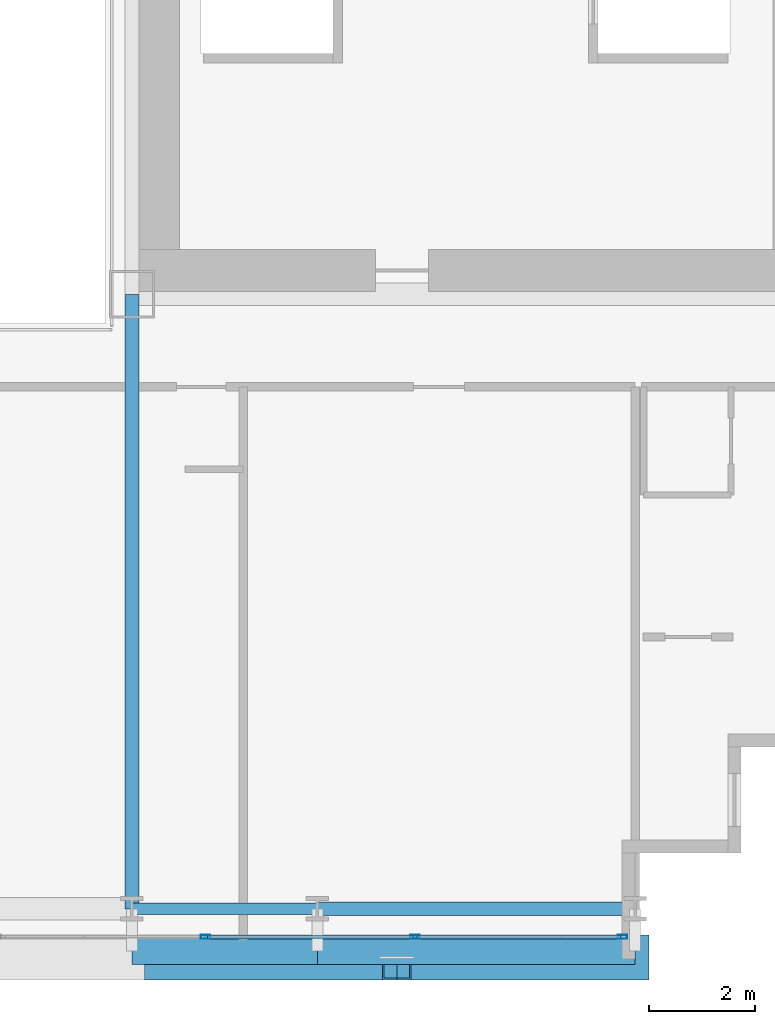
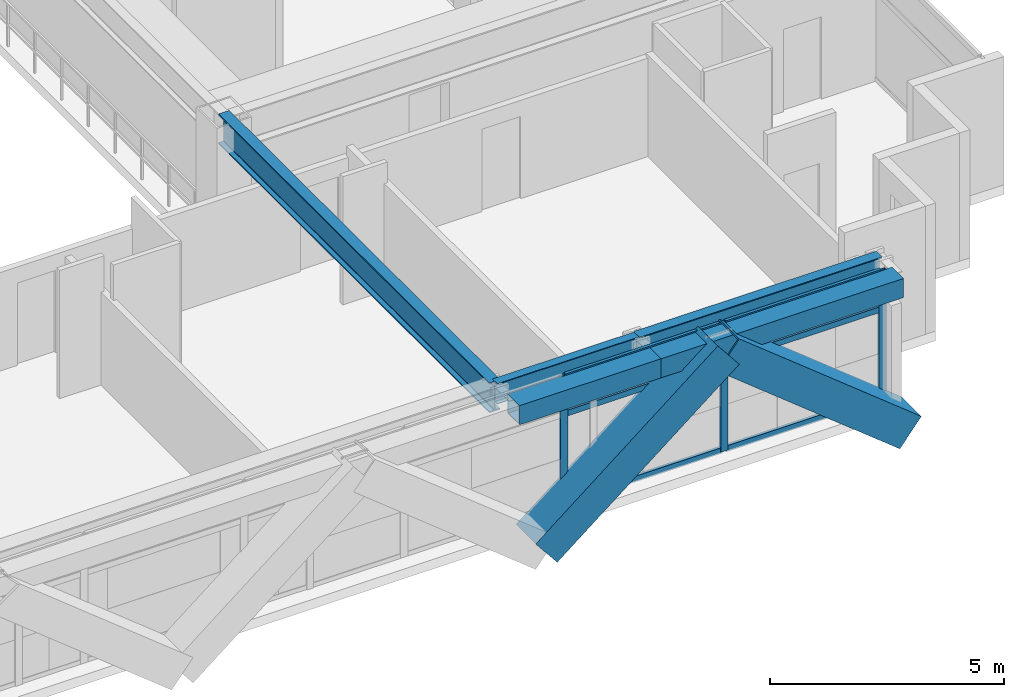
# One storey, part 10 of 35: 11 members, 5 beams, 1 element without a shape of its own.
"""IFC4 building model written with IfcOpenShell, lengths in metres."""

from ifc_helpers import new_model, si_unit, direction, frame, origin, origin_2d, place, context, subcontext, project, spatial, hollow_rectangle, i_section, extrude, source, transform, mapped, material, layer, layer_set, material_profile, profile_set, type_object, element, aggregate, save


model = new_model("IFC4")

# Units and contexts
model_context = context("Model", 3, precision=1e-05, world=origin(), true_north=direction((0.0, 1.0)))
body_context = subcontext(model_context, "Body", "Model", "MODEL_VIEW")
ifc_project = project(units=[si_unit("LENGTHUNIT", "METRE"), si_unit("AREAUNIT", "SQUARE_METRE"), si_unit("VOLUMEUNIT", "CUBIC_METRE"), si_unit("PLANEANGLEUNIT", "RADIAN"), si_unit("MASSUNIT", "GRAM", prefix="KILO")], contexts=[model_context])

# Site, building, storey
site_placement = place(None, origin())
site = spatial("IfcSite", under=ifc_project, at=site_placement, CompositionType="ELEMENT")
building_placement = place(site_placement, origin())
building = spatial("IfcBuilding", under=site, at=building_placement, Name="Ocotamira Hotel", CompositionType="ELEMENT")
storey_placement = place(building_placement, frame((0.0, 0.0, 78.0)))
storey = spatial("IfcBuildingStorey", under=building, at=storey_placement, Name="L19", CompositionType="ELEMENT", Elevation=78.0)

# Beams
ifc_material_1 = material(Name="Steel ASTM A992 Grade 50", Category="steel")
ifc_material_profile_1 = material_profile(ifc_material_1, i_section(OverallWidth=0.256103515625, OverallDepth=0.693115234375, WebThickness=0.014404296875, FlangeThickness=0.023681640625, FilletRadius=0.01611328125, at=origin_2d()), Name="W27X114")
ifc_profile_set_1 = profile_set([ifc_material_profile_1], Name="Steel ASTM A992 Grade 50")
beam_type_1 = type_object("IfcBeamType", Name="BM-PRIM-W27X114", PredefinedType="BEAM", material=ifc_profile_set_1)
shared_shape_1 = source(origin(), body_context, "Body", "SweptSolid", [
    extrude(i_section(OverallWidth=0.256103515625, OverallDepth=0.693115234375, WebThickness=0.014404296875, FlangeThickness=0.023681640625, FilletRadius=0.01611328125, at=origin_2d()), origin(), (0.0, 0.0, 1.0), 6.0),
])
beam_1_placement = place(storey_placement, frame((44.0, 2.949951171875, 3.00341796875), z_axis=(1.0, 0.0, 0.0), x_axis=(0.0, 1.0, 0.0)))
element("IfcBeam", 1, at=beam_1_placement, inside=storey, type_object=beam_type_1, Name="L19 Girder Y2.95 X44-50", PredefinedType="BEAM", context=body_context, shape_type="MappedRepresentation", body=[
    mapped(shared_shape_1, transform((0.0, 0.0, 0.0), scale=1.0)),
])
ifc_material_profile_2 = material_profile(ifc_material_1, i_section(OverallWidth=0.2099609375, OverallDepth=0.537109375, WebThickness=0.010986328125, FlangeThickness=0.017333984375, FilletRadius=0.012939453125, at=origin_2d()), Name="W21X68")
ifc_profile_set_2 = profile_set([ifc_material_profile_2], Name="Steel ASTM A992 Grade 50")
beam_type_2 = type_object("IfcBeamType", Name="BM-SEC-W21X68", PredefinedType="JOIST", material=ifc_profile_set_2)
shared_shape_2 = source(origin(), body_context, "Body", "SweptSolid", [
    extrude(i_section(OverallWidth=0.2099609375, OverallDepth=0.537109375, WebThickness=0.010986328125, FlangeThickness=0.017333984375, FilletRadius=0.012939453125, at=origin_2d()), origin(), (0.0, 0.0, 1.0), 3.5),
])
beam_2_placement = place(storey_placement, frame((40.5, 2.949951171875, 3.08154296875), z_axis=(1.0, 0.0, 0.0), x_axis=(0.0, 1.0, 0.0)))
element("IfcBeam", 2, at=beam_2_placement, inside=storey, type_object=beam_type_2, Name="L19 Girder Y2.95 X40.5-44", PredefinedType="JOIST", context=body_context, shape_type="MappedRepresentation", body=[
    mapped(shared_shape_2, transform((0.0, 0.0, 0.0), scale=1.0)),
])
ifc_material_profile_3 = material_profile(ifc_material_1, i_section(OverallWidth=0.26611328125, OverallDepth=0.779052734375, WebThickness=0.0166015625, FlangeThickness=0.030029296875, FilletRadius=0.01806640625, at=origin_2d()), Name="W30X148")
ifc_profile_set_3 = profile_set([ifc_material_profile_3], Name="Steel ASTM A992 Grade 50")
beam_type_3 = type_object("IfcBeamType", Name="BM-GIRD-W30X148", PredefinedType="BEAM", material=ifc_profile_set_3)
shared_shape_3 = source(origin(), body_context, "Body", "SweptSolid", [
    extrude(i_section(OverallWidth=0.26611328125, OverallDepth=0.779052734375, WebThickness=0.0166015625, FlangeThickness=0.030029296875, FilletRadius=0.01806640625, at=origin_2d()), origin(), (0.0, 0.0, 1.0), 11.60009765625),
])
beam_3_placement = place(storey_placement, frame((40.5, 2.949951171875, 2.96044921875), z_axis=(0.0, 1.0, 0.0), x_axis=(-1.0, 0.0, 0.0)))
element("IfcBeam", 3, at=beam_3_placement, inside=storey, type_object=beam_type_3, Name="L19 Beam X40.5 Y2.95-14.55", PredefinedType="BEAM", context=body_context, shape_type="MappedRepresentation", body=[
    mapped(shared_shape_3, transform((0.0, 0.0, 0.0), scale=1.0)),
])
ifc_material_2 = material(Name="Steel ASTM A500 Grade C", Category="steel")
ifc_material_profile_4 = material_profile(ifc_material_2, hollow_rectangle(XDim=0.5, YDim=0.5, WallThickness=0.02001953125, at=origin_2d()), Name="HSS500X500X20")
ifc_profile_set_4 = profile_set([ifc_material_profile_4], Name="Steel ASTM A500 Grade C")
beam_type_4 = type_object("IfcBeamType", Name="BM-SPAN-HSS500", PredefinedType="USERDEFINED", material=ifc_profile_set_4)
shared_shape_4 = source(origin(), body_context, "Body", "SweptSolid", [
    extrude(hollow_rectangle(XDim=0.5, YDim=0.5, WallThickness=0.02001953125, at=origin_2d()), origin(), (0.0, 0.0, 1.0), 6.0),
])
beam_4_placement = place(storey_placement, frame((44.0, 2.14990234375, 3.10009765625), z_axis=(1.0, 0.0, 0.0), x_axis=(0.0, 1.0, 0.0)))
element("IfcBeam", 4, at=beam_4_placement, inside=storey, type_object=beam_type_4, Name="L19 Edge Spandrel S X44-50", ObjectType="SPANDREL", PredefinedType="USERDEFINED", context=body_context, shape_type="MappedRepresentation", body=[
    mapped(shared_shape_4, transform((0.0, 0.0, 0.0), scale=1.0)),
])
shared_shape_5 = source(origin(), body_context, "Body", "SweptSolid", [
    extrude(hollow_rectangle(XDim=0.5, YDim=0.5, WallThickness=0.02001953125, at=origin_2d()), origin(), (0.0, 0.0, 1.0), 3.5),
])
beam_5_placement = place(storey_placement, frame((40.5, 2.14990234375, 3.10009765625), z_axis=(1.0, 0.0, 0.0), x_axis=(0.0, 1.0, 0.0)))
element("IfcBeam", 5, at=beam_5_placement, inside=storey, type_object=beam_type_4, Name="L19 Edge Spandrel S X40.5-44", ObjectType="SPANDREL", PredefinedType="USERDEFINED", context=body_context, shape_type="MappedRepresentation", body=[
    mapped(shared_shape_5, transform((0.0, 0.0, 0.0), scale=1.0)),
])

# Members
ifc_material_3 = material(Name="Pale-metal coated steel ASTM A913 Grade 65", Category="steel")
ifc_material_profile_5 = material_profile(ifc_material_3, hollow_rectangle(XDim=0.85009765625, YDim=0.85009765625, WallThickness=0.035888671875, at=origin_2d()), Name="BOX850X850X36")
ifc_profile_set_5 = profile_set([ifc_material_profile_5], Name="Pale-metal coated steel ASTM A913 Grade 65")
member_type_1 = type_object("IfcMemberType", Name="MEM-EXO-BOX850", PredefinedType="BRACE", material=ifc_profile_set_5)
shared_shape_6 = source(origin(), body_context, "Body", "SweptSolid", [
    extrude(hollow_rectangle(XDim=0.85009765625, YDim=0.85009765625, WallThickness=0.035888671875, at=origin_2d()), origin(), (0.0, 0.0, 1.0), 5.762939453125),
])
for number, where, z_axis, x_axis, name in (
    (6, (41.0, 2.030029296875, -0.5), (0.780860543151, 0.0, 0.624705380279), (0.0, 1.0, 0.0), "L19 Exoskeleton Diagrid S3.1"),
    (7, (50.0, 2.030029296875, -0.5), (-0.780860543151, 0.0, 0.624705380279), (0.0, -1.0, 0.0), "L19 Exoskeleton Diagrid S3.2"),
):
    element("IfcMember", number, at=place(storey_placement, frame(where, z_axis=z_axis, x_axis=x_axis)), inside=storey, type_object=member_type_1, Name=name, PredefinedType="BRACE", context=body_context, shape_type="MappedRepresentation", body=[
        mapped(shared_shape_6, transform((0.0, 0.0, 0.0), scale=1.0)),
    ])

# Curtain wall, members
ifc_material_4 = material(Name="Anodised pale-metal aluminium and solar glass", Category="aluminium")
ifc_layer = layer(ifc_material_4, 0.179931640625)
ifc_layer_set = layer_set([ifc_layer], Name="Anodised pale-metal aluminium and solar glass")
curtain_wall_type = type_object("IfcCurtainWallType", Name="CW-SYS2-Z1", PredefinedType="NOTDEFINED", material=ifc_layer_set)
curtain_wall_placement = place(storey_placement, origin())
curtain_wall = element("IfcCurtainWall", 8, at=curtain_wall_placement, inside=storey, type_object=curtain_wall_type, Name="L19 Curtain Wall CW-2 CW-L19-S1", PredefinedType="NOTDEFINED")
ifc_material_5 = material(Name="Anodised pale-metal aluminium 6063-T6", Category="aluminium")
ifc_material_profile_6 = material_profile(ifc_material_5, hollow_rectangle(XDim=0.074951171875, YDim=0.14990234375, WallThickness=0.006103515625, at=origin_2d()), Name="HSS150X75X6")
ifc_profile_set_6 = profile_set([ifc_material_profile_6], Name="Anodised pale-metal aluminium 6063-T6")
member_type_2 = type_object("IfcMemberType", Name="CWT-150X75", PredefinedType="USERDEFINED", material=ifc_profile_set_6)
shared_shape_7 = source(origin(), body_context, "Body", "SweptSolid", [
    extrude(hollow_rectangle(XDim=0.074951171875, YDim=0.14990234375, WallThickness=0.006103515625, at=origin_2d()), origin(), (0.0, 0.0, 1.0), 3.83544921875),
])
member_1_placement = place(storey_placement, frame((45.884521484375, 2.419921875, 0.03759765625), z_axis=(1.0, 0.0, 0.0), x_axis=(0.0, 1.0, 0.0)))
member_1 = element("IfcMember", 9, at=member_1_placement, type_object=member_type_2, Name="CW-2 transom 9.1", ObjectType="TRANSOM", PredefinedType="USERDEFINED", context=body_context, shape_type="MappedRepresentation", body=[
    mapped(shared_shape_7, transform((0.0, 0.0, 0.0), scale=1.0)),
])
member_2_placement = place(storey_placement, frame((45.884521484375, 2.419921875, 2.35009765625), z_axis=(1.0, 0.0, 0.0), x_axis=(0.0, 1.0, 0.0)))
member_2 = element("IfcMember", 10, at=member_2_placement, type_object=member_type_2, Name="CW-2 transom 9.2", ObjectType="TRANSOM", PredefinedType="USERDEFINED", context=body_context, shape_type="MappedRepresentation", body=[
    mapped(shared_shape_7, transform((0.0, 0.0, 0.0), scale=1.0)),
])
member_3_placement = place(storey_placement, frame((45.884521484375, 2.419921875, 3.3125), z_axis=(1.0, 0.0, 0.0), x_axis=(0.0, 1.0, 0.0)))
member_3 = element("IfcMember", 11, at=member_3_placement, type_object=member_type_2, Name="CW-2 transom 9.3", ObjectType="TRANSOM", PredefinedType="USERDEFINED", context=body_context, shape_type="MappedRepresentation", body=[
    mapped(shared_shape_7, transform((0.0, 0.0, 0.0), scale=1.0)),
])
shared_shape_8 = source(origin(), body_context, "Body", "SweptSolid", [
    extrude(hollow_rectangle(XDim=0.074951171875, YDim=0.14990234375, WallThickness=0.006103515625, at=origin_2d()), origin(), (0.0, 0.0, 1.0), 3.87548828125),
])
member_4_placement = place(storey_placement, frame((41.928955078125, 2.419921875, 0.03759765625), z_axis=(1.0, 0.0, 0.0), x_axis=(0.0, 1.0, 0.0)))
member_4 = element("IfcMember", 12, at=member_4_placement, type_object=member_type_2, Name="CW-2 transom 8.1", ObjectType="TRANSOM", PredefinedType="USERDEFINED", context=body_context, shape_type="MappedRepresentation", body=[
    mapped(shared_shape_8, transform((0.0, 0.0, 0.0), scale=1.0)),
])
member_5_placement = place(storey_placement, frame((41.928955078125, 2.419921875, 2.35009765625), z_axis=(1.0, 0.0, 0.0), x_axis=(0.0, 1.0, 0.0)))
member_5 = element("IfcMember", 13, at=member_5_placement, type_object=member_type_2, Name="CW-2 transom 8.2", ObjectType="TRANSOM", PredefinedType="USERDEFINED", context=body_context, shape_type="MappedRepresentation", body=[
    mapped(shared_shape_8, transform((0.0, 0.0, 0.0), scale=1.0)),
])
member_6_placement = place(storey_placement, frame((41.928955078125, 2.419921875, 3.3125), z_axis=(1.0, 0.0, 0.0), x_axis=(0.0, 1.0, 0.0)))
member_6 = element("IfcMember", 14, at=member_6_placement, type_object=member_type_2, Name="CW-2 transom 8.3", ObjectType="TRANSOM", PredefinedType="USERDEFINED", context=body_context, shape_type="MappedRepresentation", body=[
    mapped(shared_shape_8, transform((0.0, 0.0, 0.0), scale=1.0)),
])
ifc_material_profile_7 = material_profile(ifc_material_5, hollow_rectangle(XDim=0.080078125, YDim=0.179931640625, WallThickness=0.006103515625, at=origin_2d()), Name="HSS180X80X6")
ifc_profile_set_7 = profile_set([ifc_material_profile_7], Name="Anodised pale-metal aluminium 6063-T6")
member_type_3 = type_object("IfcMemberType", Name="CWM-180X75", PredefinedType="MULLION", material=ifc_profile_set_7)
shared_shape_9 = source(origin(), body_context, "Body", "SweptSolid", [
    extrude(hollow_rectangle(XDim=0.080078125, YDim=0.179931640625, WallThickness=0.006103515625, at=origin_2d()), origin(), (0.0, 0.0, 1.0), 3.35009765625),
])
member_7_placement = place(storey_placement, frame((41.888916015625, 2.419921875, 0.0), z_axis=(0.0, 0.0, 1.0), x_axis=(0.0, 1.0, 0.0)))
member_7 = element("IfcMember", 15, at=member_7_placement, type_object=member_type_3, Name="CW-2 mullion 8", PredefinedType="MULLION", context=body_context, shape_type="MappedRepresentation", body=[
    mapped(shared_shape_9, transform((0.0, 0.0, 0.0), scale=1.0)),
])
member_8_placement = place(storey_placement, frame((45.844482421875, 2.419921875, 0.0), z_axis=(0.0, 0.0, 1.0), x_axis=(0.0, 1.0, 0.0)))
member_8 = element("IfcMember", 16, at=member_8_placement, type_object=member_type_3, Name="CW-2 mullion 9", PredefinedType="MULLION", context=body_context, shape_type="MappedRepresentation", body=[
    mapped(shared_shape_9, transform((0.0, 0.0, 0.0), scale=1.0)),
])
member_9_placement = place(storey_placement, frame((49.760009765625, 2.419921875, 0.0), z_axis=(0.0, 0.0, 1.0), x_axis=(0.0, 1.0, 0.0)))
member_9 = element("IfcMember", 17, at=member_9_placement, type_object=member_type_3, Name="CW-2 mullion 10", PredefinedType="MULLION", context=body_context, shape_type="MappedRepresentation", body=[
    mapped(shared_shape_9, transform((0.0, 0.0, 0.0), scale=1.0)),
])
aggregate(curtain_wall, [member_7, member_8, member_9, member_4, member_5, member_6, member_1, member_2, member_3])

save(model, "model.ifc")
